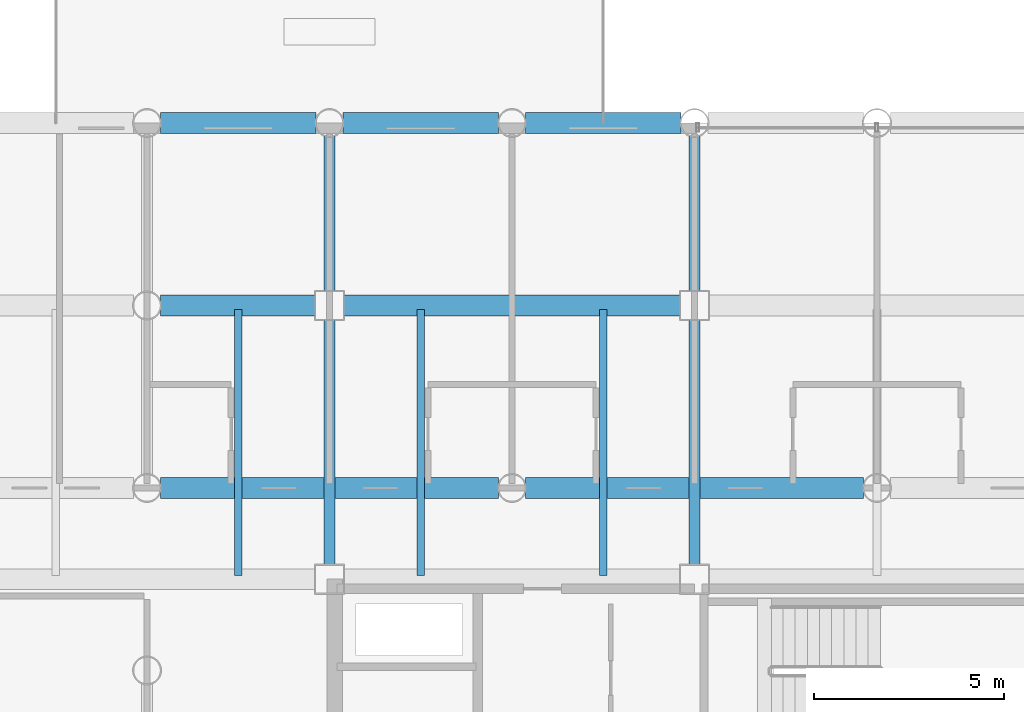
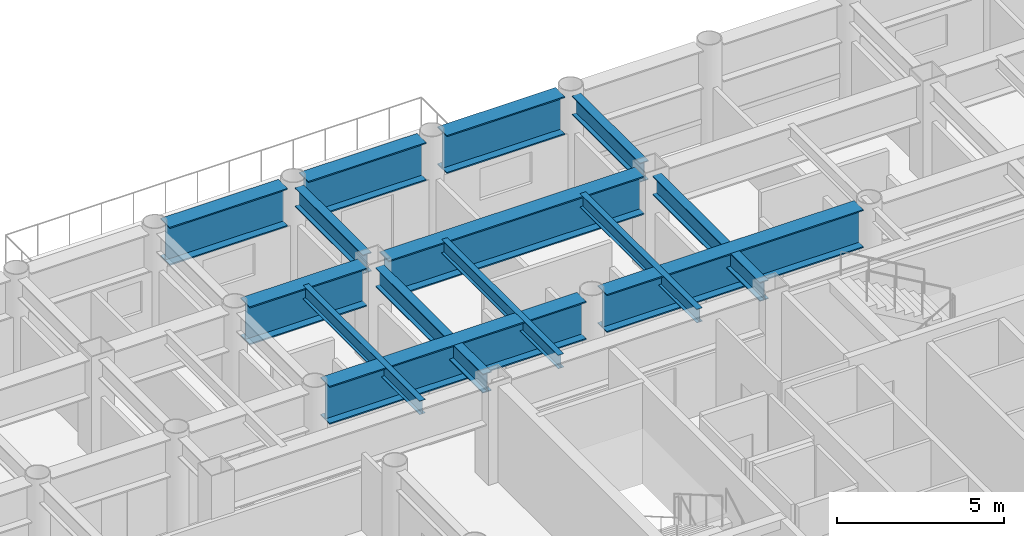
# One storey, part 10 of 24: 14 beams.
"""IFC4 building model written with IfcOpenShell, lengths in metres."""

import ifcopenshell
import ifcopenshell.guid

model = None  # the IFC model being written
_history = None  # IfcOwnerHistory: only IFC2X3 demands one
_inside = {}  # id of a spatial element -> (the spatial element, [elements in it])
_under = {}  # id of a project, library or spatial element -> (it, [spatial elements below it])
_declared = {}  # id of a project -> (the project, [libraries it declares])
_typed = {}  # id of a type object -> (the type object, [elements of that type])
_made_of = {}  # id of a material, layer set ... -> (it, [elements and type objects made of it])


def new_model(schema):
    """Start an empty IFC model of exactly this schema.

    Asked for "IFC4X3", IfcOpenShell would pick the latest addendum, in which some entities
    have other attributes; the version numbers below select the first issue.
    IFC2X3 requires an IfcOwnerHistory on every rooted entity: one is made here for all.
    """
    global model, _history
    if schema == "IFC4X3":
        model = ifcopenshell.file(schema_version=(4, 3, 0, 0))
    else:
        model = ifcopenshell.file(schema=schema)
    _inside.clear()
    _under.clear()
    _declared.clear()
    _typed.clear()
    _made_of.clear()
    _history = None
    if model.schema == "IFC2X3":
        org = make("IfcOrganization", Name="unknown")
        user = make(
            "IfcPersonAndOrganization",
            ThePerson=make("IfcPerson", FamilyName="unknown"),
            TheOrganization=org,
        )
        app = make(
            "IfcApplication",
            ApplicationDeveloper=org,
            Version="unknown",
            ApplicationFullName="unknown",
            ApplicationIdentifier="unknown",
        )
        _history = make(
            "IfcOwnerHistory",
            OwningUser=user,
            OwningApplication=app,
            ChangeAction="ADDED",
            CreationDate=0,
        )
    return model


def make(cls, **values):
    """One entity of the class cls with the attributes given. An attribute that is None is left unset."""
    return model.create_entity(
        cls, **{name: value for name, value in values.items() if value is not None}
    )


def rooted(cls, **values):
    """An entity with a GlobalId (a new one), such as an element, a storey or a relation."""
    return make(cls, GlobalId=ifcopenshell.guid.new(), OwnerHistory=_history, **values)


def si_unit(unit_type, name, prefix=None):
    """IfcSIUnit, for example si_unit("LENGTHUNIT", "METRE", prefix="MILLI")."""
    return make("IfcSIUnit", UnitType=unit_type, Prefix=prefix, Name=name)


def assignment(units):
    """IfcUnitAssignment: the units of a project."""
    return None if units is None else make("IfcUnitAssignment", Units=units)


def point(xyz):
    """IfcCartesianPoint."""
    return None if xyz is None else make("IfcCartesianPoint", Coordinates=xyz)


def direction(xyz):
    """IfcDirection."""
    return None if xyz is None else make("IfcDirection", DirectionRatios=xyz)


def frame(location, z_axis=None, x_axis=None):
    """IfcAxis2Placement3D, a coordinate frame: its origin and axes. An axis left out is left unset."""
    return make(
        "IfcAxis2Placement3D",
        Location=point(location),
        Axis=direction(z_axis),
        RefDirection=direction(x_axis),
    )


def frame_2d(location, x_axis=None):
    """IfcAxis2Placement2D, a coordinate frame in the plane: its origin and x axis."""
    return make(
        "IfcAxis2Placement2D", Location=point(location), RefDirection=direction(x_axis)
    )


def origin():
    """The frame at (0, 0, 0) with its axes left unset."""
    return frame((0.0, 0.0, 0.0))


def origin_2d():
    """The frame at (0, 0) in the plane with its x axis left unset."""
    return frame_2d((0.0, 0.0))


def place(relative_to, where):
    """IfcLocalPlacement: puts the frame where relative to a parent placement (None: the world)."""
    return make(
        "IfcLocalPlacement", PlacementRelTo=relative_to, RelativePlacement=where
    )


def context(
    kind, dimensions, precision=None, world=None, true_north=None, identifier=None
):
    """IfcGeometricRepresentationContext, for example the 3D "Model" context."""
    return make(
        "IfcGeometricRepresentationContext",
        ContextIdentifier=identifier,
        ContextType=kind,
        CoordinateSpaceDimension=dimensions,
        Precision=precision,
        WorldCoordinateSystem=world,
        TrueNorth=true_north,
    )


def subcontext(parent, identifier, kind, view, scale=None):
    """IfcGeometricRepresentationSubContext, for example "Body" below "Model"."""
    return make(
        "IfcGeometricRepresentationSubContext",
        ContextIdentifier=identifier,
        ContextType=kind,
        ParentContext=parent,
        TargetScale=scale,
        TargetView=view,
    )


def project(units=None, contexts=None):
    """IfcProject with its units and contexts."""
    return rooted(
        "IfcProject",
        Name="project",
        RepresentationContexts=contexts,
        UnitsInContext=assignment(units),
    )


def spatial(cls, under=None, at=None, **own):
    """A site, building, storey or space (cls), placed at a placement, below another one or the project."""
    s = rooted(cls, ObjectPlacement=at, **own)
    if under is not None:
        _under.setdefault(under.id(), (under, []))[1].append(s)
    return s


def profile(cls, at=None, kind="AREA", **sizes):
    """A parametric profile (cls). Its sizes go by their IFC names, for example OverallWidth=200.0."""
    return make(cls, ProfileType=kind, Position=at, **sizes)


def i_section(**sizes):
    """IfcIShapeProfileDef."""
    return profile("IfcIShapeProfileDef", **sizes)


def extrude(swept, where, along, depth):
    """IfcExtrudedAreaSolid: the profile swept, set in the frame where, extruded along a direction by depth."""
    return make(
        "IfcExtrudedAreaSolid",
        SweptArea=swept,
        Position=where,
        ExtrudedDirection=direction(along),
        Depth=depth,
    )


def shape(context_of_items, identifier, shape_type, items):
    """IfcShapeRepresentation: the items that make up one representation, for example the "Body"."""
    return make(
        "IfcShapeRepresentation",
        ContextOfItems=context_of_items,
        RepresentationIdentifier=identifier,
        RepresentationType=shape_type,
        Items=items,
    )


def material(Name=None, Category=None):
    """IfcMaterial."""
    return make("IfcMaterial", Name=Name, Category=Category)


def material_profile(
    of_material, cross_section, Name=None, Category=None, Priority=None
):
    """IfcMaterialProfile: a cross section and its material."""
    return make(
        "IfcMaterialProfile",
        Name=Name,
        Material=of_material,
        Profile=cross_section,
        Priority=Priority,
        Category=Category,
    )


def profile_set(profiles, Name=None, composite=None):
    """IfcMaterialProfileSet."""
    return make(
        "IfcMaterialProfileSet",
        Name=Name,
        MaterialProfiles=profiles,
        CompositeProfile=composite,
    )


def made_of(thing, what):
    """Note that an element or type object is made of a material, layer set ...; save() writes the relation."""
    if what is not None:
        _made_of.setdefault(what.id(), (what, []))[1].append(thing)
    return thing


def type_object(cls, material=None, **own):
    """A type object (cls), such as IfcWallType, which elements share."""
    return made_of(rooted(cls, **own), material)


def element(
    cls,
    number,
    at=None,
    inside=None,
    cuts=None,
    type_object=None,
    material=None,
    context=None,
    identifier="Body",
    shape_type=None,
    held_by="IfcProductDefinitionShape",
    body=None,
    shapes=None,
    **own,
):
    """One element of the class cls, such as IfcWall. Its Tag is "e" and its number.

    at: its placement. inside: the storey or other place that contains it. cuts: it is an
    opening in that element (IfcRelVoidsElement). A single representation is given by context,
    identifier, shape_type and body (its items); several are given by shapes. held_by: the class
    of the entity that holds the representations. save() writes the other relations.
    """
    e = rooted(cls, Tag="e%d" % number, ObjectPlacement=at, **own)
    if body is not None:
        shapes = [shape(context, identifier, shape_type, body)]
    if shapes is not None:
        e.Representation = make(held_by, Representations=shapes)
    if inside is not None:
        _inside.setdefault(inside.id(), (inside, []))[1].append(e)
    if cuts is not None:
        rooted(
            "IfcRelVoidsElement", RelatingBuildingElement=cuts, RelatedOpeningElement=e
        )
    if type_object is not None:
        _typed.setdefault(type_object.id(), (type_object, []))[1].append(e)
    return made_of(e, material)


def aggregate(whole, parts):
    """IfcRelAggregates: a whole, such as a stair, and the parts it consists of."""
    return rooted("IfcRelAggregates", RelatingObject=whole, RelatedObjects=parts)


def save(model, path):
    """Write the relations noted so far, then the file.

    IfcRelAggregates (storeys below a building ...), IfcRelContainedInSpatialStructure (elements
    in a storey), IfcRelDefinesByType, IfcRelAssociatesMaterial and IfcRelDeclares: one each for
    every whole, place, type object, material and project.
    """
    for whole, parts in _under.values():
        aggregate(whole, parts)
    for where, things in _inside.values():
        rooted(
            "IfcRelContainedInSpatialStructure",
            RelatedElements=things,
            RelatingStructure=where,
        )
    for kind, things in _typed.values():
        rooted("IfcRelDefinesByType", RelatedObjects=things, RelatingType=kind)
    for what, things in _made_of.values():
        rooted("IfcRelAssociatesMaterial", RelatedObjects=things, RelatingMaterial=what)
    for by, libraries in _declared.values():
        rooted("IfcRelDeclares", RelatingContext=by, RelatedDefinitions=libraries)
    model.write(path)


model = new_model("IFC4")

# Units and contexts
model_context = context("Model", 3, precision=1e-05, world=origin(), true_north=direction((0.0, 1.0)))
body_context = subcontext(model_context, "Body", "Model", "MODEL_VIEW")
ifc_project = project(units=[si_unit("LENGTHUNIT", "METRE"), si_unit("AREAUNIT", "SQUARE_METRE"), si_unit("VOLUMEUNIT", "CUBIC_METRE"), si_unit("PLANEANGLEUNIT", "RADIAN"), si_unit("MASSUNIT", "GRAM", prefix="KILO")], contexts=[model_context])

# Site, building, storey
site_placement = place(None, origin())
site = spatial("IfcSite", under=ifc_project, at=site_placement, CompositionType="ELEMENT")
building_placement = place(site_placement, origin())
building = spatial("IfcBuilding", under=site, at=building_placement, Name="Kallvorn Hotel Tower", CompositionType="ELEMENT")
storey_placement = place(building_placement, frame((0.0, 0.0, 30.0)))
storey = spatial("IfcBuildingStorey", under=building, at=storey_placement, Name="L05", CompositionType="ELEMENT", Elevation=30.0)

# Beams
ifc_material_1 = material(Name="Structural steel S355JR", Category="steel")
ifc_material_profile_1 = material_profile(ifc_material_1, i_section(OverallWidth=0.300048828125, OverallDepth=0.699951171875, WebThickness=0.01708984375, FlangeThickness=0.031982421875, at=origin_2d()), Name="HE 700 B")
ifc_profile_set_1 = profile_set([ifc_material_profile_1], Name="Structural steel S355JR")
beam_type_1 = type_object("IfcBeamType", Name="BM_HE700B", PredefinedType="BEAM", material=ifc_profile_set_1)
beam_1_placement = place(storey_placement, frame((-14.39990234375, 7.574951171875, 3.169921875), z_axis=(0.0, 1.0, 0.0), x_axis=(-1.0, 0.0, 0.0)))
element("IfcBeam", 1, at=beam_1_placement, inside=storey, type_object=beam_type_1, Name="L06 Primary Y-Girder 101", PredefinedType="BEAM", context=body_context, shape_type="SweptSolid", body=[
    extrude(i_section(OverallWidth=0.300048828125, OverallDepth=0.699951171875, WebThickness=0.01708984375, FlangeThickness=0.031982421875, at=origin_2d()), origin(), (0.0, 0.0, 1.0), 6.449951171875),
])
beam_2_placement = place(storey_placement, frame((-14.39990234375, 14.77490234375, 3.169921875), z_axis=(0.0, 1.0, 0.0), x_axis=(-1.0, 0.0, 0.0)))
element("IfcBeam", 2, at=beam_2_placement, inside=storey, type_object=beam_type_1, Name="L06 Primary Y-Girder 102", PredefinedType="BEAM", context=body_context, shape_type="SweptSolid", body=[
    extrude(i_section(OverallWidth=0.300048828125, OverallDepth=0.699951171875, WebThickness=0.01708984375, FlangeThickness=0.031982421875, at=origin_2d()), origin(), (0.0, 0.0, 1.0), 4.069091796875),
])
beam_3_placement = place(storey_placement, frame((-4.800048828125, 7.574951171875, 3.169921875), z_axis=(0.0, 1.0, 0.0), x_axis=(-1.0, 0.0, 0.0)))
element("IfcBeam", 3, at=beam_3_placement, inside=storey, type_object=beam_type_1, Name="L06 Primary Y-Girder 109", PredefinedType="BEAM", context=body_context, shape_type="SweptSolid", body=[
    extrude(i_section(OverallWidth=0.300048828125, OverallDepth=0.699951171875, WebThickness=0.01708984375, FlangeThickness=0.031982421875, at=origin_2d()), origin(), (0.0, 0.0, 1.0), 6.449951171875),
])
beam_4_placement = place(storey_placement, frame((-4.800048828125, 14.77490234375, 3.169921875), z_axis=(0.0, 1.0, 0.0), x_axis=(-1.0, 0.0, 0.0)))
element("IfcBeam", 4, at=beam_4_placement, inside=storey, type_object=beam_type_1, Name="L06 Primary Y-Girder 110", PredefinedType="BEAM", context=body_context, shape_type="SweptSolid", body=[
    extrude(i_section(OverallWidth=0.300048828125, OverallDepth=0.699951171875, WebThickness=0.01708984375, FlangeThickness=0.031982421875, at=origin_2d()), origin(), (0.0, 0.0, 1.0), 4.069091796875),
])
ifc_material_2 = material(Name="Structural steel S355JR", Category="steel")
ifc_material_profile_2 = material_profile(ifc_material_2, i_section(OverallWidth=0.199951171875, OverallDepth=0.5, WebThickness=0.01025390625, FlangeThickness=0.01611328125, at=origin_2d()), Name="IPE 500")
ifc_profile_set_2 = profile_set([ifc_material_profile_2], Name="Structural steel S355JR")
beam_type_2 = type_object("IfcBeamType", Name="BM_IPE500", PredefinedType="JOIST", material=ifc_profile_set_2)
for number, where, z_axis, x_axis, name in (
    (5, (-16.800048828125, 7.300048828125, 3.27001953125), (0.0, 1.0, 0.0), (-1.0, 0.0, 0.0), "L06 Secondary Composite Joist 195"),
    (6, (-12.0, 7.300048828125, 3.27001953125), (0.0, 1.0, 0.0), (-1.0, 0.0, 0.0), "L06 Secondary Composite Joist 197"),
    (7, (-7.199951171875, 7.300048828125, 3.27001953125), (0.0, 1.0, 0.0), (-1.0, 0.0, 0.0), "L06 Secondary Composite Joist 199"),
):
    element("IfcBeam", number, at=place(storey_placement, frame(where, z_axis=z_axis, x_axis=x_axis)), inside=storey, type_object=beam_type_2, Name=name, PredefinedType="JOIST", context=body_context, shape_type="SweptSolid", body=[
        extrude(i_section(OverallWidth=0.199951171875, OverallDepth=0.5, WebThickness=0.01025390625, FlangeThickness=0.01611328125, at=origin_2d()), origin(), (0.0, 0.0, 1.0), 7.0),
    ])
ifc_material_3 = material(Name="Structural steel S355JR", Category="steel")
ifc_material_profile_3 = material_profile(ifc_material_3, i_section(OverallWidth=0.550048828125, OverallDepth=1.39990234375, WebThickness=0.02490234375, FlangeThickness=0.044921875, at=origin_2d()), Name="PG 1400x550x25x45")
ifc_profile_set_3 = profile_set([ifc_material_profile_3], Name="Structural steel S355JR")
beam_type_3 = type_object("IfcBeamType", Name="BM_PG_1400", PredefinedType="BEAM", material=ifc_profile_set_3)
for number, where, z_axis, x_axis, name in (
    (8, (-18.843994140625, 9.60009765625, 2.820068359375), (1.0, 0.0, 0.0), (0.0, 1.0, 0.0), "L06 Primary X-Girder 45"),
    (9, (-9.243896484375, 9.60009765625, 2.820068359375), (1.0, 0.0, 0.0), (0.0, 1.0, 0.0), "L06 Primary X-Girder 46"),
):
    element("IfcBeam", number, at=place(storey_placement, frame(where, z_axis=z_axis, x_axis=x_axis)), inside=storey, type_object=beam_type_3, Name=name, PredefinedType="BEAM", context=body_context, shape_type="SweptSolid", body=[
        extrude(i_section(OverallWidth=0.550048828125, OverallDepth=1.39990234375, WebThickness=0.02490234375, FlangeThickness=0.044921875, at=origin_2d()), origin(), (0.0, 0.0, 1.0), 8.887939453125),
    ])
beam_5_placement = place(storey_placement, frame((-18.843994140625, 14.39990234375, 2.820068359375), z_axis=(1.0, 0.0, 0.0), x_axis=(0.0, 1.0, 0.0)))
element("IfcBeam", 10, at=beam_5_placement, inside=storey, type_object=beam_type_3, Name="L06 Primary X-Girder 54", PredefinedType="BEAM", context=body_context, shape_type="SweptSolid", body=[
    extrude(i_section(OverallWidth=0.550048828125, OverallDepth=1.39990234375, WebThickness=0.02490234375, FlangeThickness=0.044921875, at=origin_2d()), origin(), (0.0, 0.0, 1.0), 4.069091796875),
])
beam_6_placement = place(storey_placement, frame((-14.02490234375, 14.39990234375, 2.820068359375), z_axis=(1.0, 0.0, 0.0), x_axis=(0.0, 1.0, 0.0)))
element("IfcBeam", 11, at=beam_6_placement, inside=storey, type_object=beam_type_3, Name="L06 Primary X-Girder 55", PredefinedType="BEAM", context=body_context, shape_type="SweptSolid", body=[
    extrude(i_section(OverallWidth=0.550048828125, OverallDepth=1.39990234375, WebThickness=0.02490234375, FlangeThickness=0.044921875, at=origin_2d()), origin(), (0.0, 0.0, 1.0), 8.849853515625),
])
for number, where, z_axis, x_axis, name in (
    (12, (-18.843994140625, 19.199951171875, 2.820068359375), (1.0, 0.0, 0.0), (0.0, 1.0, 0.0), "L06 Primary X-Girder 63"),
    (13, (-14.0439453125, 19.199951171875, 2.820068359375), (1.0, 0.0, 0.0), (0.0, 1.0, 0.0), "L06 Primary X-Girder 64"),
    (14, (-9.243896484375, 19.199951171875, 2.820068359375), (1.0, 0.0, 0.0), (0.0, 1.0, 0.0), "L06 Primary X-Girder 65"),
):
    element("IfcBeam", number, at=place(storey_placement, frame(where, z_axis=z_axis, x_axis=x_axis)), inside=storey, type_object=beam_type_3, Name=name, PredefinedType="BEAM", context=body_context, shape_type="SweptSolid", body=[
        extrude(i_section(OverallWidth=0.550048828125, OverallDepth=1.39990234375, WebThickness=0.02490234375, FlangeThickness=0.044921875, at=origin_2d()), origin(), (0.0, 0.0, 1.0), 4.087890625),
    ])

save(model, "model.ifc")
